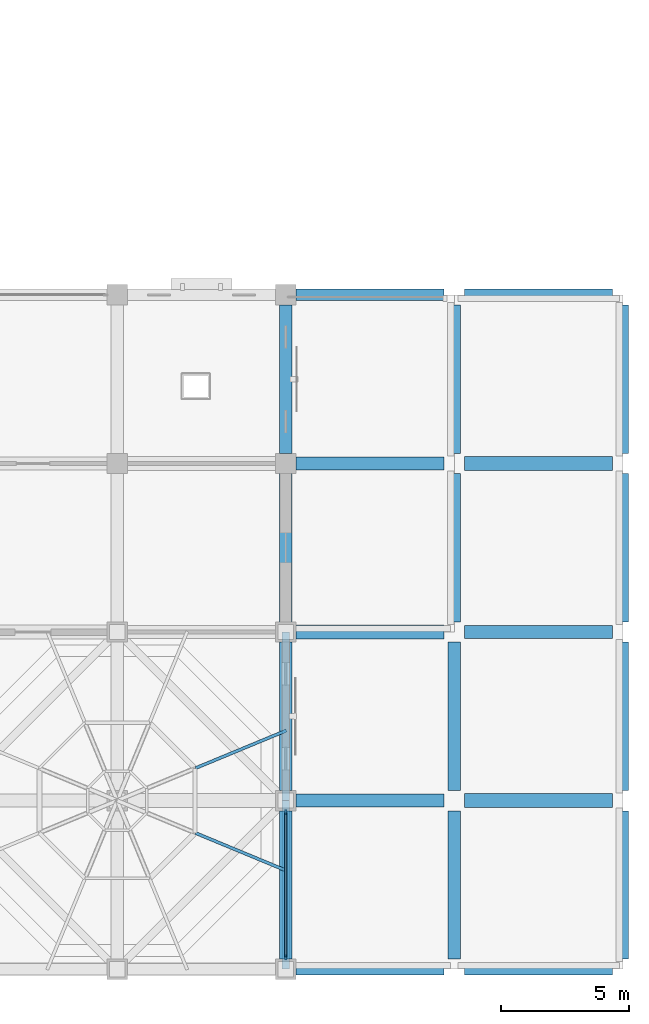
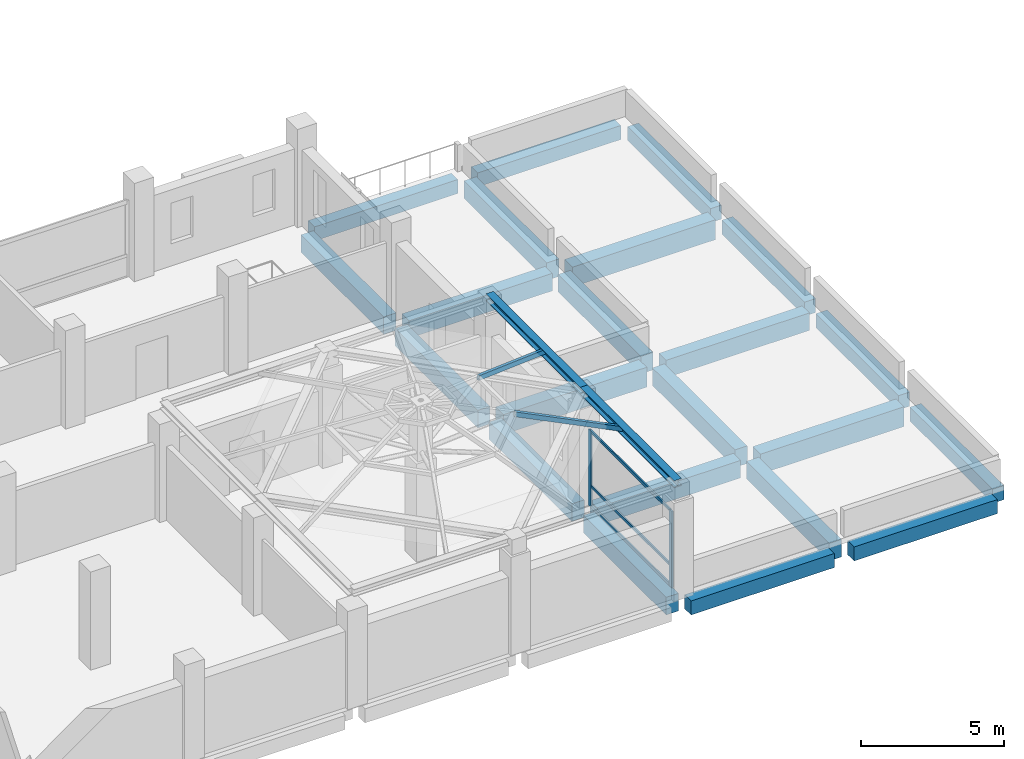
# One storey, part 8 of 25: 24 beams, 7 members, 1 element without a shape of its own.
"""IFC4 building model written with IfcOpenShell, lengths in metres."""

import ifcopenshell
import ifcopenshell.guid

model = None  # the IFC model being written
_history = None  # IfcOwnerHistory: only IFC2X3 demands one
_inside = {}  # id of a spatial element -> (the spatial element, [elements in it])
_under = {}  # id of a project, library or spatial element -> (it, [spatial elements below it])
_declared = {}  # id of a project -> (the project, [libraries it declares])
_typed = {}  # id of a type object -> (the type object, [elements of that type])
_made_of = {}  # id of a material, layer set ... -> (it, [elements and type objects made of it])


def new_model(schema):
    """Start an empty IFC model of exactly this schema.

    Asked for "IFC4X3", IfcOpenShell would pick the latest addendum, in which some entities
    have other attributes; the version numbers below select the first issue.
    IFC2X3 requires an IfcOwnerHistory on every rooted entity: one is made here for all.
    """
    global model, _history
    if schema == "IFC4X3":
        model = ifcopenshell.file(schema_version=(4, 3, 0, 0))
    else:
        model = ifcopenshell.file(schema=schema)
    _inside.clear()
    _under.clear()
    _declared.clear()
    _typed.clear()
    _made_of.clear()
    _history = None
    if model.schema == "IFC2X3":
        org = make("IfcOrganization", Name="unknown")
        user = make(
            "IfcPersonAndOrganization",
            ThePerson=make("IfcPerson", FamilyName="unknown"),
            TheOrganization=org,
        )
        app = make(
            "IfcApplication",
            ApplicationDeveloper=org,
            Version="unknown",
            ApplicationFullName="unknown",
            ApplicationIdentifier="unknown",
        )
        _history = make(
            "IfcOwnerHistory",
            OwningUser=user,
            OwningApplication=app,
            ChangeAction="ADDED",
            CreationDate=0,
        )
    return model


def make(cls, **values):
    """One entity of the class cls with the attributes given. An attribute that is None is left unset."""
    return model.create_entity(
        cls, **{name: value for name, value in values.items() if value is not None}
    )


def rooted(cls, **values):
    """An entity with a GlobalId (a new one), such as an element, a storey or a relation."""
    return make(cls, GlobalId=ifcopenshell.guid.new(), OwnerHistory=_history, **values)


def si_unit(unit_type, name, prefix=None):
    """IfcSIUnit, for example si_unit("LENGTHUNIT", "METRE", prefix="MILLI")."""
    return make("IfcSIUnit", UnitType=unit_type, Prefix=prefix, Name=name)


def assignment(units):
    """IfcUnitAssignment: the units of a project."""
    return None if units is None else make("IfcUnitAssignment", Units=units)


def point(xyz):
    """IfcCartesianPoint."""
    return None if xyz is None else make("IfcCartesianPoint", Coordinates=xyz)


def direction(xyz):
    """IfcDirection."""
    return None if xyz is None else make("IfcDirection", DirectionRatios=xyz)


def frame(location, z_axis=None, x_axis=None):
    """IfcAxis2Placement3D, a coordinate frame: its origin and axes. An axis left out is left unset."""
    return make(
        "IfcAxis2Placement3D",
        Location=point(location),
        Axis=direction(z_axis),
        RefDirection=direction(x_axis),
    )


def frame_2d(location, x_axis=None):
    """IfcAxis2Placement2D, a coordinate frame in the plane: its origin and x axis."""
    return make(
        "IfcAxis2Placement2D", Location=point(location), RefDirection=direction(x_axis)
    )


def origin():
    """The frame at (0, 0, 0) with its axes left unset."""
    return frame((0.0, 0.0, 0.0))


def origin_2d():
    """The frame at (0, 0) in the plane with its x axis left unset."""
    return frame_2d((0.0, 0.0))


def place(relative_to, where):
    """IfcLocalPlacement: puts the frame where relative to a parent placement (None: the world)."""
    return make(
        "IfcLocalPlacement", PlacementRelTo=relative_to, RelativePlacement=where
    )


def context(
    kind, dimensions, precision=None, world=None, true_north=None, identifier=None
):
    """IfcGeometricRepresentationContext, for example the 3D "Model" context."""
    return make(
        "IfcGeometricRepresentationContext",
        ContextIdentifier=identifier,
        ContextType=kind,
        CoordinateSpaceDimension=dimensions,
        Precision=precision,
        WorldCoordinateSystem=world,
        TrueNorth=true_north,
    )


def subcontext(parent, identifier, kind, view, scale=None):
    """IfcGeometricRepresentationSubContext, for example "Body" below "Model"."""
    return make(
        "IfcGeometricRepresentationSubContext",
        ContextIdentifier=identifier,
        ContextType=kind,
        ParentContext=parent,
        TargetScale=scale,
        TargetView=view,
    )


def project(units=None, contexts=None):
    """IfcProject with its units and contexts."""
    return rooted(
        "IfcProject",
        Name="project",
        RepresentationContexts=contexts,
        UnitsInContext=assignment(units),
    )


def spatial(cls, under=None, at=None, **own):
    """A site, building, storey or space (cls), placed at a placement, below another one or the project."""
    s = rooted(cls, ObjectPlacement=at, **own)
    if under is not None:
        _under.setdefault(under.id(), (under, []))[1].append(s)
    return s


def profile(cls, at=None, kind="AREA", **sizes):
    """A parametric profile (cls). Its sizes go by their IFC names, for example OverallWidth=200.0."""
    return make(cls, ProfileType=kind, Position=at, **sizes)


def rectangle(**sizes):
    """IfcRectangleProfileDef."""
    return profile("IfcRectangleProfileDef", **sizes)


def hollow_rectangle(**sizes):
    """IfcRectangleHollowProfileDef."""
    return profile("IfcRectangleHollowProfileDef", **sizes)


def i_section(**sizes):
    """IfcIShapeProfileDef."""
    return profile("IfcIShapeProfileDef", **sizes)


def extrude(swept, where, along, depth):
    """IfcExtrudedAreaSolid: the profile swept, set in the frame where, extruded along a direction by depth."""
    return make(
        "IfcExtrudedAreaSolid",
        SweptArea=swept,
        Position=where,
        ExtrudedDirection=direction(along),
        Depth=depth,
    )


def shape(context_of_items, identifier, shape_type, items):
    """IfcShapeRepresentation: the items that make up one representation, for example the "Body"."""
    return make(
        "IfcShapeRepresentation",
        ContextOfItems=context_of_items,
        RepresentationIdentifier=identifier,
        RepresentationType=shape_type,
        Items=items,
    )


def material(Name=None, Category=None):
    """IfcMaterial."""
    return make("IfcMaterial", Name=Name, Category=Category)


def material_profile(
    of_material, cross_section, Name=None, Category=None, Priority=None
):
    """IfcMaterialProfile: a cross section and its material."""
    return make(
        "IfcMaterialProfile",
        Name=Name,
        Material=of_material,
        Profile=cross_section,
        Priority=Priority,
        Category=Category,
    )


def profile_set(profiles, Name=None, composite=None):
    """IfcMaterialProfileSet."""
    return make(
        "IfcMaterialProfileSet",
        Name=Name,
        MaterialProfiles=profiles,
        CompositeProfile=composite,
    )


def made_of(thing, what):
    """Note that an element or type object is made of a material, layer set ...; save() writes the relation."""
    if what is not None:
        _made_of.setdefault(what.id(), (what, []))[1].append(thing)
    return thing


def type_object(cls, material=None, **own):
    """A type object (cls), such as IfcWallType, which elements share."""
    return made_of(rooted(cls, **own), material)


def element(
    cls,
    number,
    at=None,
    inside=None,
    cuts=None,
    type_object=None,
    material=None,
    context=None,
    identifier="Body",
    shape_type=None,
    held_by="IfcProductDefinitionShape",
    body=None,
    shapes=None,
    **own,
):
    """One element of the class cls, such as IfcWall. Its Tag is "e" and its number.

    at: its placement. inside: the storey or other place that contains it. cuts: it is an
    opening in that element (IfcRelVoidsElement). A single representation is given by context,
    identifier, shape_type and body (its items); several are given by shapes. held_by: the class
    of the entity that holds the representations. save() writes the other relations.
    """
    e = rooted(cls, Tag="e%d" % number, ObjectPlacement=at, **own)
    if body is not None:
        shapes = [shape(context, identifier, shape_type, body)]
    if shapes is not None:
        e.Representation = make(held_by, Representations=shapes)
    if inside is not None:
        _inside.setdefault(inside.id(), (inside, []))[1].append(e)
    if cuts is not None:
        rooted(
            "IfcRelVoidsElement", RelatingBuildingElement=cuts, RelatedOpeningElement=e
        )
    if type_object is not None:
        _typed.setdefault(type_object.id(), (type_object, []))[1].append(e)
    return made_of(e, material)


def aggregate(whole, parts):
    """IfcRelAggregates: a whole, such as a stair, and the parts it consists of."""
    return rooted("IfcRelAggregates", RelatingObject=whole, RelatedObjects=parts)


def save(model, path):
    """Write the relations noted so far, then the file.

    IfcRelAggregates (storeys below a building ...), IfcRelContainedInSpatialStructure (elements
    in a storey), IfcRelDefinesByType, IfcRelAssociatesMaterial and IfcRelDeclares: one each for
    every whole, place, type object, material and project.
    """
    for whole, parts in _under.values():
        aggregate(whole, parts)
    for where, things in _inside.values():
        rooted(
            "IfcRelContainedInSpatialStructure",
            RelatedElements=things,
            RelatingStructure=where,
        )
    for kind, things in _typed.values():
        rooted("IfcRelDefinesByType", RelatedObjects=things, RelatingType=kind)
    for what, things in _made_of.values():
        rooted("IfcRelAssociatesMaterial", RelatedObjects=things, RelatingMaterial=what)
    for by, libraries in _declared.values():
        rooted("IfcRelDeclares", RelatingContext=by, RelatedDefinitions=libraries)
    model.write(path)


model = new_model("IFC4")

# Units and contexts
model_context = context("Model", 3, precision=1e-05, world=origin(), true_north=direction((0.0, 1.0)))
body_context = subcontext(model_context, "Body", "Model", "MODEL_VIEW")
ifc_project = project(units=[si_unit("LENGTHUNIT", "METRE"), si_unit("AREAUNIT", "SQUARE_METRE"), si_unit("VOLUMEUNIT", "CUBIC_METRE"), si_unit("PLANEANGLEUNIT", "RADIAN"), si_unit("MASSUNIT", "GRAM", prefix="KILO")], contexts=[model_context])

# Site, building, storey
site_placement = place(None, origin())
site = spatial("IfcSite", under=ifc_project, at=site_placement, CompositionType="ELEMENT")
building_placement = place(site_placement, origin())
building = spatial("IfcBuilding", under=site, at=building_placement, Name="Rusizi Kubbe Research Institute", CompositionType="ELEMENT")
storey_placement = place(building_placement, frame((0.0, 0.0, 14.39990234375)))
storey = spatial("IfcBuildingStorey", under=building, at=storey_placement, Name="L03", CompositionType="ELEMENT", Elevation=14.39990234375)

# Beams
ifc_material_1 = material(Name="Steel S355", Category="steel")
ifc_material_profile_1 = material_profile(ifc_material_1, i_section(OverallWidth=0.300048828125, OverallDepth=0.300048828125, WebThickness=0.010986328125, FlangeThickness=0.01904296875, at=origin_2d()), Name="HEB 300")
ifc_profile_set_1 = profile_set([ifc_material_profile_1], Name="Steel S355")
beam_type_1 = type_object("IfcBeamType", Name="BM-HEB300", PredefinedType="BEAM", material=ifc_profile_set_1)
beam_1_placement = place(storey_placement, frame((66.0, 0.0, 4.7001953125), z_axis=(0.0, 1.0, 0.0), x_axis=(-1.0, 0.0, 0.0)))
element("IfcBeam", 1, at=beam_1_placement, inside=storey, type_object=beam_type_1, Name="Kubbe Dome Ring Beam DOME-EP1 E1", PredefinedType="BEAM", context=body_context, shape_type="SweptSolid", body=[
    extrude(i_section(OverallWidth=0.300048828125, OverallDepth=0.300048828125, WebThickness=0.010986328125, FlangeThickness=0.01904296875, at=origin_2d()), origin(), (0.0, 0.0, 1.0), 6.60009765625),
])
beam_2_placement = place(storey_placement, frame((66.0, 6.60009765625, 4.7001953125), z_axis=(0.0, 1.0, 0.0), x_axis=(-1.0, 0.0, 0.0)))
element("IfcBeam", 2, at=beam_2_placement, inside=storey, type_object=beam_type_1, Name="Kubbe Dome Ring Beam DOME-EP1 E2", PredefinedType="BEAM", context=body_context, shape_type="SweptSolid", body=[
    extrude(i_section(OverallWidth=0.300048828125, OverallDepth=0.300048828125, WebThickness=0.010986328125, FlangeThickness=0.01904296875, at=origin_2d()), origin(), (0.0, 0.0, 1.0), 6.599853515625),
])
ifc_material_2 = material(Name="Concrete C40/50", Category="concrete")
ifc_material_profile_2 = material_profile(ifc_material_2, rectangle(XDim=0.449951171875, YDim=0.60009765625, at=origin_2d()), Name="RC450x600")
ifc_profile_set_2 = profile_set([ifc_material_profile_2], Name="Concrete C40/50")
beam_type_2 = type_object("IfcBeamType", Name="BM-RC450x600", PredefinedType="SPANDREL", material=ifc_profile_set_2)
for number, where, z_axis, x_axis, name in (
    (3, (66.39990234375, 0.0, -0.64990234375), (1.0, 0.0, 0.0), (0.0, 1.0, 0.0), "Grid Beam H L03 (10,0)"),
    (4, (66.39990234375, 26.39990234375, -0.64990234375), (1.0, 0.0, 0.0), (0.0, 1.0, 0.0), "Grid Beam H L03 (10,4)"),
    (5, (73.0, 0.0, -0.64990234375), (1.0, 0.0, 0.0), (0.0, 1.0, 0.0), "Grid Beam H L03 (11,0)"),
    (6, (73.0, 26.39990234375, -0.64990234375), (1.0, 0.0, 0.0), (0.0, 1.0, 0.0), "Grid Beam H L03 (11,4)"),
    (7, (79.199951171875, 0.39990234375, -0.64990234375), (0.0, 1.0, 0.0), (-1.0, 0.0, 0.0), "Grid Beam V L03 (12,0)"),
    (8, (79.199951171875, 7.0, -0.64990234375), (0.0, 1.0, 0.0), (-1.0, 0.0, 0.0), "Grid Beam V L03 (12,1)"),
):
    element("IfcBeam", number, at=place(storey_placement, frame(where, z_axis=z_axis, x_axis=x_axis)), inside=storey, type_object=beam_type_2, Name=name, PredefinedType="SPANDREL", context=body_context, shape_type="SweptSolid", body=[
        extrude(rectangle(XDim=0.449951171875, YDim=0.60009765625, at=origin_2d()), origin(), (0.0, 0.0, 1.0), 5.800048828125),
    ])
beam_3_placement = place(storey_placement, frame((79.199951171875, 13.60009765625, -0.64990234375), z_axis=(0.0, 1.0, 0.0), x_axis=(-1.0, 0.0, 0.0)))
element("IfcBeam", 9, at=beam_3_placement, inside=storey, type_object=beam_type_2, Name="Grid Beam V L03 (12,2)", PredefinedType="SPANDREL", context=body_context, shape_type="SweptSolid", body=[
    extrude(rectangle(XDim=0.449951171875, YDim=0.60009765625, at=origin_2d()), origin(), (0.0, 0.0, 1.0), 5.7998046875),
])
beam_4_placement = place(storey_placement, frame((79.199951171875, 20.199951171875, -0.64990234375), z_axis=(0.0, 1.0, 0.0), x_axis=(-1.0, 0.0, 0.0)))
element("IfcBeam", 10, at=beam_4_placement, inside=storey, type_object=beam_type_2, Name="Grid Beam V L03 (12,3)", PredefinedType="SPANDREL", context=body_context, shape_type="SweptSolid", body=[
    extrude(rectangle(XDim=0.449951171875, YDim=0.60009765625, at=origin_2d()), origin(), (0.0, 0.0, 1.0), 5.800048828125),
])
ifc_material_3 = material(Name="Concrete C45/55", Category="concrete")
ifc_material_profile_3 = material_profile(ifc_material_3, rectangle(XDim=0.5, YDim=0.75, at=origin_2d()), Name="RC500x750B")
ifc_profile_set_3 = profile_set([ifc_material_profile_3], Name="Concrete C45/55")
beam_type_3 = type_object("IfcBeamType", Name="BM-RC500x750", PredefinedType="BEAM", material=ifc_profile_set_3)
for number, where, z_axis, x_axis, name in (
    (11, (66.39990234375, 6.60009765625, -0.724853515625), (1.0, 0.0, 0.0), (0.0, 1.0, 0.0), "Grid Beam H L03 (10,1)"),
    (12, (66.39990234375, 19.800048828125, -0.724853515625), (1.0, 0.0, 0.0), (0.0, 1.0, 0.0), "Grid Beam H L03 (10,3)"),
    (13, (73.0, 13.199951171875, -0.724853515625), (1.0, 0.0, 0.0), (0.0, 1.0, 0.0), "Grid Beam H L03 (11,2)"),
    (14, (66.0, 0.39990234375, -0.724853515625), (0.0, 1.0, 0.0), (-1.0, 0.0, 0.0), "Grid Beam V L03 (10,0)"),
    (15, (66.0, 7.0, -0.724853515625), (0.0, 1.0, 0.0), (-1.0, 0.0, 0.0), "Grid Beam V L03 (10,1)"),
):
    element("IfcBeam", number, at=place(storey_placement, frame(where, z_axis=z_axis, x_axis=x_axis)), inside=storey, type_object=beam_type_3, Name=name, PredefinedType="BEAM", context=body_context, shape_type="SweptSolid", body=[
        extrude(rectangle(XDim=0.5, YDim=0.75, at=origin_2d()), origin(), (0.0, 0.0, 1.0), 5.800048828125),
    ])
beam_5_placement = place(storey_placement, frame((66.0, 13.60009765625, -0.724853515625), z_axis=(0.0, 1.0, 0.0), x_axis=(-1.0, 0.0, 0.0)))
element("IfcBeam", 16, at=beam_5_placement, inside=storey, type_object=beam_type_3, Name="Grid Beam V L03 (10,2)", PredefinedType="BEAM", context=body_context, shape_type="SweptSolid", body=[
    extrude(rectangle(XDim=0.5, YDim=0.75, at=origin_2d()), origin(), (0.0, 0.0, 1.0), 5.7998046875),
])
for number, where, z_axis, x_axis, name in (
    (17, (66.0, 20.199951171875, -0.724853515625), (0.0, 1.0, 0.0), (-1.0, 0.0, 0.0), "Grid Beam V L03 (10,3)"),
    (18, (72.60009765625, 0.39990234375, -0.724853515625), (0.0, 1.0, 0.0), (-1.0, 0.0, 0.0), "Grid Beam V L03 (11,0)"),
    (19, (72.60009765625, 7.0, -0.724853515625), (0.0, 1.0, 0.0), (-1.0, 0.0, 0.0), "Grid Beam V L03 (11,1)"),
):
    element("IfcBeam", number, at=place(storey_placement, frame(where, z_axis=z_axis, x_axis=x_axis)), inside=storey, type_object=beam_type_3, Name=name, PredefinedType="BEAM", context=body_context, shape_type="SweptSolid", body=[
        extrude(rectangle(XDim=0.5, YDim=0.75, at=origin_2d()), origin(), (0.0, 0.0, 1.0), 5.800048828125),
    ])
beam_6_placement = place(storey_placement, frame((72.60009765625, 13.60009765625, -0.724853515625), z_axis=(0.0, 1.0, 0.0), x_axis=(-1.0, 0.0, 0.0)))
element("IfcBeam", 20, at=beam_6_placement, inside=storey, type_object=beam_type_3, Name="Grid Beam V L03 (11,2)", PredefinedType="BEAM", context=body_context, shape_type="SweptSolid", body=[
    extrude(rectangle(XDim=0.5, YDim=0.75, at=origin_2d()), origin(), (0.0, 0.0, 1.0), 5.7998046875),
])
beam_7_placement = place(storey_placement, frame((72.60009765625, 20.199951171875, -0.724853515625), z_axis=(0.0, 1.0, 0.0), x_axis=(-1.0, 0.0, 0.0)))
element("IfcBeam", 21, at=beam_7_placement, inside=storey, type_object=beam_type_3, Name="Grid Beam V L03 (11,3)", PredefinedType="BEAM", context=body_context, shape_type="SweptSolid", body=[
    extrude(rectangle(XDim=0.5, YDim=0.75, at=origin_2d()), origin(), (0.0, 0.0, 1.0), 5.800048828125),
])
ifc_material_4 = material(Name="Concrete C45/55", Category="concrete")
ifc_material_profile_4 = material_profile(ifc_material_4, rectangle(XDim=0.550048828125, YDim=0.85009765625, at=origin_2d()), Name="RC550x850")
ifc_profile_set_4 = profile_set([ifc_material_profile_4], Name="Concrete C45/55")
beam_type_4 = type_object("IfcBeamType", Name="BM-RC550x850", PredefinedType="BEAM", material=ifc_profile_set_4)
for number, where, z_axis, x_axis, name in (
    (22, (66.39990234375, 13.199951171875, -0.77490234375), (1.0, 0.0, 0.0), (0.0, 1.0, 0.0), "Grid Beam H L03 (10,2)"),
    (23, (73.0, 6.60009765625, -0.77490234375), (1.0, 0.0, 0.0), (0.0, 1.0, 0.0), "Grid Beam H L03 (11,1)"),
    (24, (73.0, 19.800048828125, -0.77490234375), (1.0, 0.0, 0.0), (0.0, 1.0, 0.0), "Grid Beam H L03 (11,3)"),
):
    element("IfcBeam", number, at=place(storey_placement, frame(where, z_axis=z_axis, x_axis=x_axis)), inside=storey, type_object=beam_type_4, Name=name, PredefinedType="BEAM", context=body_context, shape_type="SweptSolid", body=[
        extrude(rectangle(XDim=0.550048828125, YDim=0.85009765625, at=origin_2d()), origin(), (0.0, 0.0, 1.0), 5.800048828125),
    ])

# Members
ifc_material_5 = material(Name="Steel S355", Category="steel")
ifc_material_profile_5 = material_profile(ifc_material_5, hollow_rectangle(XDim=0.1201171875, YDim=0.199951171875, WallThickness=0.008056640625, at=origin_2d()), Name="RHS 200x120x8.0")
ifc_profile_set_5 = profile_set([ifc_material_profile_5], Name="Steel S355")
member_type_1 = type_object("IfcMemberType", Name="MB-RHS200", PredefinedType="RAFTER", material=ifc_profile_set_5)
for number, where, z_axis, x_axis, name in (
    (25, (66.0, 9.333740234375, 4.7001953125), (-0.894410754218, -0.370467812056, 0.25056536666), (0.38267527446, -0.923882911584, 0.0), "Kubbe Arch Rib Lower DOME-EP1-1"),
    (26, (66.0, 3.8662109375, 4.7001953125), (-0.894410754218, 0.370467812056, 0.25056536666), (-0.38267527446, -0.923882911584, 0.0), "Kubbe Arch Rib Lower DOME-EP1-8"),
):
    element("IfcMember", number, at=place(storey_placement, frame(where, z_axis=z_axis, x_axis=x_axis)), inside=storey, type_object=member_type_1, Name=name, PredefinedType="RAFTER", context=body_context, shape_type="SweptSolid", body=[
        extrude(hollow_rectangle(XDim=0.1201171875, YDim=0.199951171875, WallThickness=0.008056640625, at=origin_2d()), origin(), (0.0, 0.0, 1.0), 3.970458984375),
    ])

# Curtain wall, members
ifc_material_6 = material(Name="Thermally Broken Aluminium and Low-E Glazing", Category="aluminium")
curtain_wall_type = type_object("IfcCurtainWallType", Name="CW-06", PredefinedType="NOTDEFINED", material=ifc_material_6)
curtain_wall_placement = place(storey_placement, origin())
curtain_wall = element("IfcCurtainWall", 27, at=curtain_wall_placement, inside=storey, type_object=curtain_wall_type, Name="Unitised Facade Curtain Wall CW-L03-V-10-00", PredefinedType="NOTDEFINED")
ifc_material_7 = material(Name="Aluminium Alloy 6063-T6", Category="aluminium")
ifc_material_profile_6 = material_profile(ifc_material_7, rectangle(XDim=0.06494140625, YDim=0.199951171875, at=origin_2d()), Name="ALU-M 65x200")
ifc_profile_set_6 = profile_set([ifc_material_profile_6], Name="Aluminium Alloy 6063-T6")
member_type_2 = type_object("IfcMemberType", Name="ML-03", PredefinedType="MULLION", material=ifc_profile_set_6)
member_1_placement = place(storey_placement, frame((66.0, 0.46240234375, 0.0), z_axis=(0.0, 0.0, 1.0), x_axis=(-1.0, 0.0, 0.0)))
member_1 = element("IfcMember", 28, at=member_1_placement, type_object=member_type_2, Name="CW-06 mullion 1", PredefinedType="MULLION", context=body_context, shape_type="SweptSolid", body=[
    extrude(rectangle(XDim=0.06494140625, YDim=0.199951171875, at=origin_2d()), origin(), (0.0, 0.0, 1.0), 3.260009765625),
])
member_2_placement = place(storey_placement, frame((66.0, 6.137451171875, 0.0), z_axis=(0.0, 0.0, 1.0), x_axis=(-1.0, 0.0, 0.0)))
member_2 = element("IfcMember", 29, at=member_2_placement, type_object=member_type_2, Name="CW-06 mullion 2", PredefinedType="MULLION", context=body_context, shape_type="SweptSolid", body=[
    extrude(rectangle(XDim=0.06494140625, YDim=0.199951171875, at=origin_2d()), origin(), (0.0, 0.0, 1.0), 3.260009765625),
])
ifc_material_8 = material(Name="Aluminium Alloy 6063-T6", Category="aluminium")
ifc_material_profile_7 = material_profile(ifc_material_8, rectangle(XDim=0.06005859375, YDim=0.1201171875, at=origin_2d()), Name="ALU-T 60x120")
ifc_profile_set_7 = profile_set([ifc_material_profile_7], Name="Aluminium Alloy 6063-T6")
member_type_3 = type_object("IfcMemberType", Name="TR-01", PredefinedType="USERDEFINED", material=ifc_profile_set_7)
member_3_placement = place(storey_placement, frame((66.0, 0.4951171875, 0.030029296875), z_axis=(0.0, 1.0, 0.0), x_axis=(-1.0, 0.0, 0.0)))
member_3 = element("IfcMember", 30, at=member_3_placement, type_object=member_type_3, Name="CW-06 transom 1.1", ObjectType="TRANSOM", PredefinedType="USERDEFINED", context=body_context, shape_type="SweptSolid", body=[
    extrude(rectangle(XDim=0.06005859375, YDim=0.1201171875, at=origin_2d()), origin(), (0.0, 0.0, 1.0), 5.60986328125),
])
member_4_placement = place(storey_placement, frame((66.0, 0.4951171875, 0.900146484375), z_axis=(0.0, 1.0, 0.0), x_axis=(-1.0, 0.0, 0.0)))
member_4 = element("IfcMember", 31, at=member_4_placement, type_object=member_type_3, Name="CW-06 transom 1.2", ObjectType="TRANSOM", PredefinedType="USERDEFINED", context=body_context, shape_type="SweptSolid", body=[
    extrude(rectangle(XDim=0.06005859375, YDim=0.1201171875, at=origin_2d()), origin(), (0.0, 0.0, 1.0), 5.60986328125),
])
member_5_placement = place(storey_placement, frame((66.0, 0.4951171875, 3.22998046875), z_axis=(0.0, 1.0, 0.0), x_axis=(-1.0, 0.0, 0.0)))
member_5 = element("IfcMember", 32, at=member_5_placement, type_object=member_type_3, Name="CW-06 transom 1.3", ObjectType="TRANSOM", PredefinedType="USERDEFINED", context=body_context, shape_type="SweptSolid", body=[
    extrude(rectangle(XDim=0.06005859375, YDim=0.1201171875, at=origin_2d()), origin(), (0.0, 0.0, 1.0), 5.60986328125),
])
aggregate(curtain_wall, [member_1, member_2, member_3, member_4, member_5])

save(model, "model.ifc")
